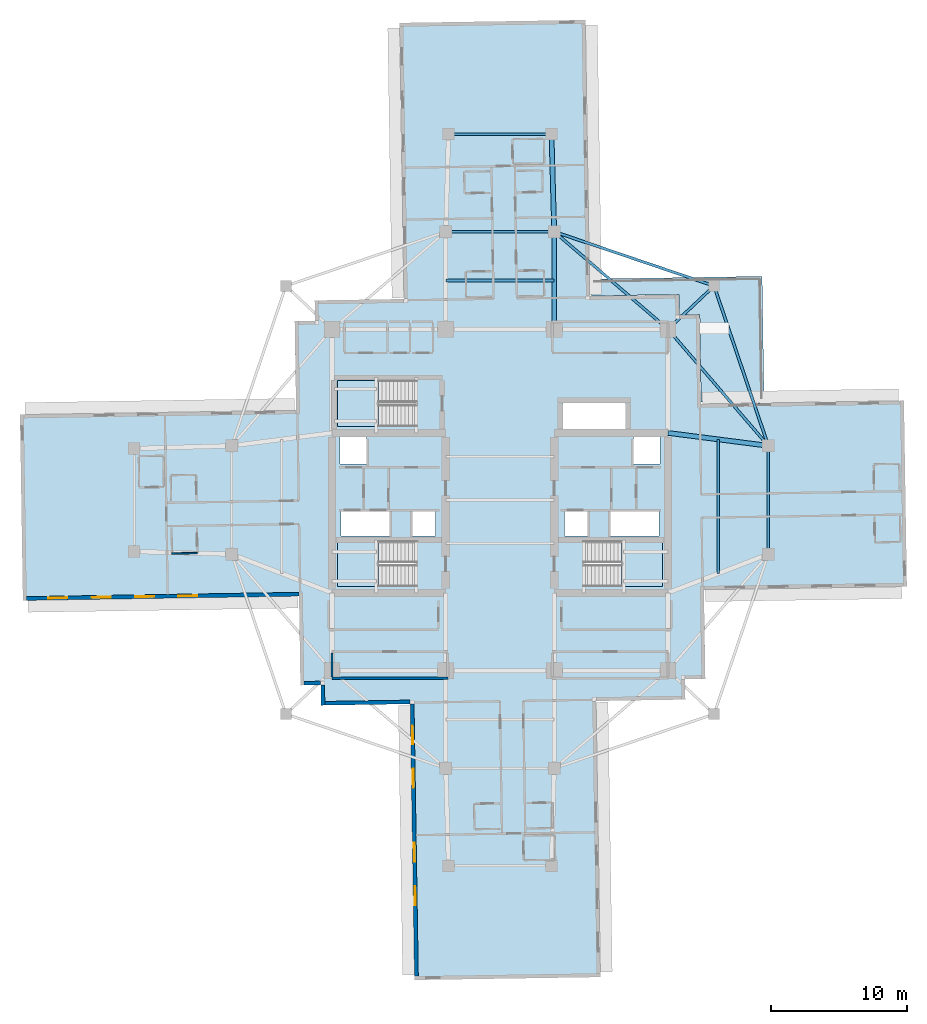
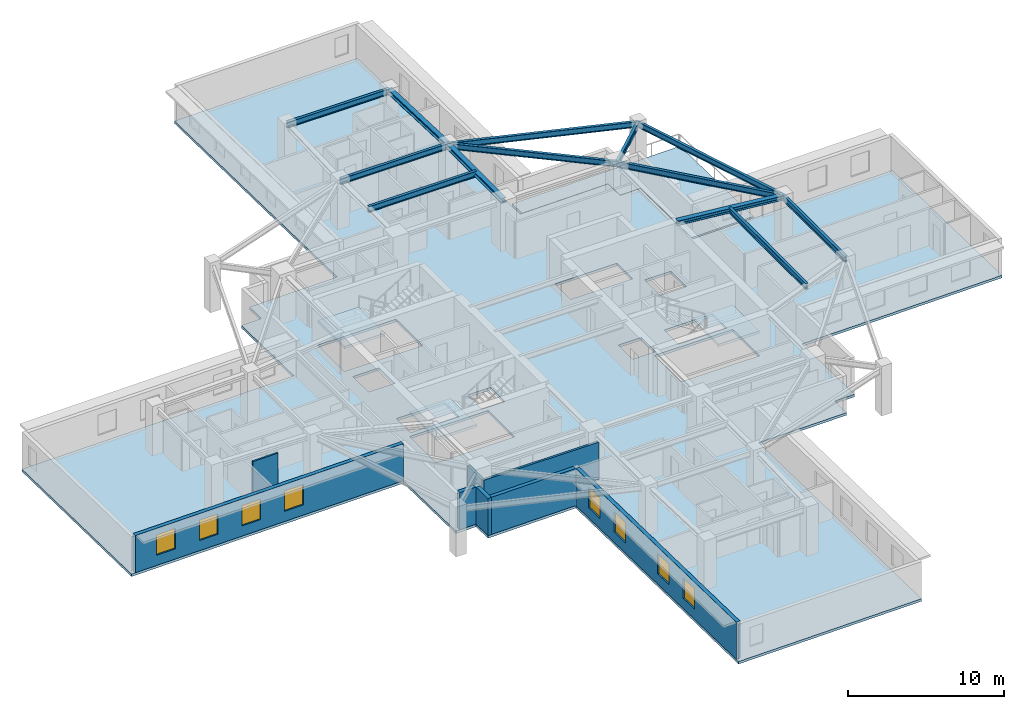
# One storey, part 2 of 13: 13 beams, 8 walls, 8 windows, 5 slabs, 8 openings, 3 elements without a shape of their own.
"""IFC4 building model written with IfcOpenShell, lengths in metres."""

from ifc_helpers import new_model, si_unit, direction, frame, frame_2d, origin, origin_2d, place, context, subcontext, project, spatial, polyline, rectangle, i_section, outline, extrude, material, layer, layer_set, material_profile, profile_set, type_object, element, fill, aggregate, save


model = new_model("IFC4")

# Units and contexts
model_context = context("Model", 3, precision=1e-05, world=origin(), true_north=direction((0.0, 1.0)))
body_context = subcontext(model_context, "Body", "Model", "MODEL_VIEW")
ifc_project = project(units=[si_unit("LENGTHUNIT", "METRE"), si_unit("AREAUNIT", "SQUARE_METRE"), si_unit("VOLUMEUNIT", "CUBIC_METRE"), si_unit("PLANEANGLEUNIT", "RADIAN"), si_unit("MASSUNIT", "GRAM", prefix="KILO")], contexts=[model_context])

# Site, building, storey
site_placement = place(None, origin())
site = spatial("IfcSite", under=ifc_project, at=site_placement, CompositionType="ELEMENT")
building_placement = place(site_placement, origin())
building = spatial("IfcBuilding", under=site, at=building_placement, Name="Qingluan Cross Belvedere", CompositionType="ELEMENT")
storey_placement = place(building_placement, frame((0.0, 0.0, 187.800048828125)))
storey = spatial("IfcBuildingStorey", under=building, at=storey_placement, Name="L47", CompositionType="ELEMENT", Elevation=187.800048828125)

# Beams
ifc_material_1 = material(Name="Steel Q420GJB", Category="steel")
ifc_material_profile_1 = material_profile(ifc_material_1, i_section(OverallWidth=0.199951171875, OverallDepth=0.449951171875, WebThickness=0.009033203125, FlangeThickness=0.013916015625, FilletRadius=0.01611328125, at=origin_2d()), Name="HN450x200x9x14")
ifc_profile_set_1 = profile_set([ifc_material_profile_1], Name="Steel Q420GJB")
beam_type_1 = type_object("IfcBeamType", Name="Steel_Beam_HN450x200x9x14", PredefinedType="JOIST", material=ifc_profile_set_1)
beam_1_placement = place(storey_placement, frame((12.39990234375, 12.60009765625, 3.425048828125), z_axis=(0.728219948308, 0.685343495546, 0.0), x_axis=(-0.685343495546, 0.728219948308, 0.0)))
element("IfcBeam", 1, at=beam_1_placement, inside=storey, type_object=beam_type_1, Name="Corner beam 1 L47-RNE", PredefinedType="JOIST", context=body_context, shape_type="SweptSolid", body=[
    extrude(i_section(OverallWidth=0.199951171875, OverallDepth=0.449951171875, WebThickness=0.009033203125, FlangeThickness=0.013916015625, FilletRadius=0.01611328125, at=origin_2d()), origin(), (0.0, 0.0, 1.0), 4.669189453125),
])
for number, where, z_axis, x_axis, name in (
    (2, (15.800048828125, 15.800048828125, 3.425048828125), (-0.947066283324, 0.321038089628, 0.0), (-0.321038089628, -0.947066283324, 0.0), "Corner beam 2 L47-RNE"),
    (3, (15.800048828125, 15.800048828125, 3.425048828125), (0.321038089628, -0.947066283324, 0.0), (0.947066283324, 0.321038089628, 0.0), "Corner beam 3 L47-RNE"),
):
    element("IfcBeam", number, at=place(storey_placement, frame(where, z_axis=z_axis, x_axis=x_axis)), inside=storey, type_object=beam_type_1, Name=name, PredefinedType="JOIST", context=body_context, shape_type="SweptSolid", body=[
        extrude(i_section(OverallWidth=0.199951171875, OverallDepth=0.449951171875, WebThickness=0.009033203125, FlangeThickness=0.013916015625, FilletRadius=0.01611328125, at=origin_2d()), origin(), (0.0, 0.0, 1.0), 12.45947265625),
    ])
beam_2_placement = place(storey_placement, frame((12.39990234375, 12.60009765625, 3.425048828125), z_axis=(0.652245077546, -0.75800815221, 0.0), x_axis=(0.75800815221, 0.652245077546, 0.0)))
element("IfcBeam", 4, at=beam_2_placement, inside=storey, type_object=beam_type_1, Name="Corner beam 4 L47-RNE", PredefinedType="JOIST", context=body_context, shape_type="SweptSolid", body=[
    extrude(i_section(OverallWidth=0.199951171875, OverallDepth=0.449951171875, WebThickness=0.009033203125, FlangeThickness=0.013916015625, FilletRadius=0.01611328125, at=origin_2d()), origin(), (0.0, 0.0, 1.0), 11.345703125),
])
beam_3_placement = place(storey_placement, frame((12.39990234375, 12.60009765625, 3.425048828125), z_axis=(-0.759255044656, 0.650793190779, 0.0), x_axis=(-0.650793190779, -0.759255044656, 0.0)))
element("IfcBeam", 5, at=beam_3_placement, inside=storey, type_object=beam_type_1, Name="Corner beam 5 L47-RNE", PredefinedType="JOIST", context=body_context, shape_type="SweptSolid", body=[
    extrude(i_section(OverallWidth=0.199951171875, OverallDepth=0.449951171875, WebThickness=0.009033203125, FlangeThickness=0.013916015625, FilletRadius=0.01611328125, at=origin_2d()), origin(), (0.0, 0.0, 1.0), 11.063232421875),
])
beam_4_placement = place(storey_placement, frame((19.800048828125, -4.0, 3.425048828125), z_axis=(0.0, 1.0, 0.0), x_axis=(-1.0, 0.0, 0.0)))
element("IfcBeam", 6, at=beam_4_placement, inside=storey, type_object=beam_type_1, Name="Arm E tie L47", PredefinedType="JOIST", context=body_context, shape_type="SweptSolid", body=[
    extrude(i_section(OverallWidth=0.199951171875, OverallDepth=0.449951171875, WebThickness=0.009033203125, FlangeThickness=0.013916015625, FilletRadius=0.01611328125, at=origin_2d()), origin(), (0.0, 0.0, 1.0), 8.0),
])
beam_5_placement = place(storey_placement, frame((16.10009765625, -5.425048828125, 3.425048828125), z_axis=(0.0, 1.0, 0.0), x_axis=(-1.0, 0.0, 0.0)))
element("IfcBeam", 7, at=beam_5_placement, inside=storey, type_object=beam_type_1, Name="Arm E beam L47", PredefinedType="JOIST", context=body_context, shape_type="SweptSolid", body=[
    extrude(i_section(OverallWidth=0.199951171875, OverallDepth=0.449951171875, WebThickness=0.009033203125, FlangeThickness=0.013916015625, FilletRadius=0.01611328125, at=origin_2d()), origin(), (0.0, 0.0, 1.0), 9.900146484375),
])
for number, where, z_axis, x_axis, name in (
    (8, (-4.0, 19.800048828125, 3.425048828125), (1.0, 0.0, 0.0), (0.0, 1.0, 0.0), "Arm N tie L47"),
    (9, (-4.0, 16.199951171875, 3.425048828125), (1.0, 0.0, 0.0), (0.0, 1.0, 0.0), "Arm N beam L47"),
):
    element("IfcBeam", number, at=place(storey_placement, frame(where, z_axis=z_axis, x_axis=x_axis)), inside=storey, type_object=beam_type_1, Name=name, PredefinedType="JOIST", context=body_context, shape_type="SweptSolid", body=[
        extrude(i_section(OverallWidth=0.199951171875, OverallDepth=0.449951171875, WebThickness=0.009033203125, FlangeThickness=0.013916015625, FilletRadius=0.01611328125, at=origin_2d()), origin(), (0.0, 0.0, 1.0), 8.0),
    ])
beam_6_placement = place(storey_placement, frame((-3.800048828125, 27.0, 3.425048828125), z_axis=(1.0, 0.0, 0.0), x_axis=(0.0, 1.0, 0.0)))
element("IfcBeam", 10, at=beam_6_placement, inside=storey, type_object=beam_type_1, Name="Arm N tip transverse beam L47", PredefinedType="JOIST", context=body_context, shape_type="SweptSolid", body=[
    extrude(i_section(OverallWidth=0.199951171875, OverallDepth=0.449951171875, WebThickness=0.009033203125, FlangeThickness=0.013916015625, FilletRadius=0.01611328125, at=origin_2d()), origin(), (0.0, 0.0, 1.0), 7.60009765625),
])
ifc_material_2 = material(Name="Steel Q420GJB", Category="steel")
ifc_material_profile_2 = material_profile(ifc_material_2, i_section(OverallWidth=0.35009765625, OverallDepth=0.35009765625, WebThickness=0.011962890625, FlangeThickness=0.01904296875, FilletRadius=0.02001953125, at=origin_2d()), Name="HW350x350x12x19")
ifc_profile_set_2 = profile_set([ifc_material_profile_2], Name="Steel Q420GJB")
beam_type_2 = type_object("IfcBeamType", Name="Steel_Girder_HW350x350x12x19", PredefinedType="USERDEFINED", material=ifc_profile_set_2)
beam_7_placement = place(storey_placement, frame((12.39990234375, 4.949951171875, 3.474853515625), z_axis=(0.991861120628, -0.12732445714, 0.0), x_axis=(0.12732445714, 0.991861120628, 0.0)))
element("IfcBeam", 11, at=beam_7_placement, inside=storey, type_object=beam_type_2, Name="Arm E radial girder B L47", ObjectType="GIRDER", PredefinedType="USERDEFINED", context=body_context, shape_type="SweptSolid", body=[
    extrude(i_section(OverallWidth=0.35009765625, OverallDepth=0.35009765625, WebThickness=0.011962890625, FlangeThickness=0.01904296875, FilletRadius=0.02001953125, at=origin_2d()), origin(), (0.0, 0.0, 1.0), 7.4609375),
])
beam_8_placement = place(storey_placement, frame((4.0, 12.60009765625, 3.474853515625), z_axis=(0.0, 1.0, 0.0), x_axis=(-1.0, 0.0, 0.0)))
element("IfcBeam", 12, at=beam_8_placement, inside=storey, type_object=beam_type_2, Name="Arm N radial girder B L47", ObjectType="GIRDER", PredefinedType="USERDEFINED", context=body_context, shape_type="SweptSolid", body=[
    extrude(i_section(OverallWidth=0.35009765625, OverallDepth=0.35009765625, WebThickness=0.011962890625, FlangeThickness=0.01904296875, FilletRadius=0.02001953125, at=origin_2d()), origin(), (0.0, 0.0, 1.0), 7.199951171875),
])
beam_9_placement = place(storey_placement, frame((4.0, 19.800048828125, 3.474853515625), z_axis=(-0.027760481514, 0.999614603568, 0.0), x_axis=(-0.999614603568, -0.027760481514, 0.0)))
element("IfcBeam", 13, at=beam_9_placement, inside=storey, type_object=beam_type_2, Name="Arm N outer radial girder B L47", ObjectType="GIRDER", PredefinedType="USERDEFINED", context=body_context, shape_type="SweptSolid", body=[
    extrude(i_section(OverallWidth=0.35009765625, OverallDepth=0.35009765625, WebThickness=0.011962890625, FlangeThickness=0.01904296875, FilletRadius=0.02001953125, at=origin_2d()), origin(), (0.0, 0.0, 1.0), 7.20263671875),
])

# Slab
ifc_material_3 = material(Name="Concrete C40", Category="concrete")
ifc_layer_1 = layer(ifc_material_3, 0.199951171875, Name="FloorSlab_200")
ifc_layer_set_1 = layer_set([ifc_layer_1], Name="Concrete C40")
slab_type_1 = type_object("IfcSlabType", Name="FloorSlab_200", PredefinedType="FLOOR", material=ifc_layer_set_1)
slab_1_placement = place(storey_placement, frame((0.0, 0.0, -0.199951171875)))
element("IfcSlab", 14, at=slab_1_placement, inside=storey, type_object=slab_type_1, Name="Structural floor slab L47", PredefinedType="FLOOR", context=body_context, shape_type="SweptSolid", body=[
    extrude(outline(polyline([(7.413818359375, -35.2080078125), (7.09375, -14.830322265625), (13.673095703125, -14.72705078125), (13.6494140625, -13.227294921875), (15.1494140625, -13.20361328125), (15.0458984375, -6.62451171875), (30.024169921875, -6.38916015625), (29.80859375, 7.3291015625), (14.830322265625, 7.09375), (14.72705078125, 13.673095703125), (13.227294921875, 13.6494140625), (13.20361328125, 15.1494140625), (6.62451171875, 15.0458984375), (6.304443359375, 35.42333984375), (-7.413818359375, 35.2080078125), (-7.09375, 14.830322265625), (-13.673095703125, 14.72705078125), (-13.6494140625, 13.227294921875), (-15.1494140625, 13.20361328125), (-15.0458984375, 6.62451171875), (-35.42333984375, 6.304443359375), (-35.2080078125, -7.413818359375), (-14.830322265625, -7.09375), (-14.72705078125, -13.673095703125), (-13.227294921875, -13.6494140625), (-13.20361328125, -15.1494140625), (-6.62451171875, -15.0458984375), (-6.304443359375, -35.42333984375), (7.413818359375, -35.2080078125)]), holes=[polyline([(-12.0, -3.0), (-6.179931640625, -3.0), (-6.179931640625, -6.39990234375), (-12.0, -6.39990234375), (-12.0, -3.0)]), polyline([(6.179931640625, -3.0), (12.0, -3.0), (12.0, -6.39990234375), (6.179931640625, -6.39990234375), (6.179931640625, -3.0)]), polyline([(-12.0, 8.820068359375), (-6.179931640625, 8.820068359375), (-6.179931640625, 5.419921875), (-12.0, 5.419921875), (-12.0, 8.820068359375)]), polyline([(-11.800048828125, 4.64990234375), (-9.85009765625, 4.64990234375), (-9.85009765625, 2.64990234375), (-11.800048828125, 2.64990234375), (-11.800048828125, 4.64990234375)]), polyline([(9.85009765625, 4.64990234375), (11.800048828125, 4.64990234375), (11.800048828125, 2.64990234375), (9.85009765625, 2.64990234375), (9.85009765625, 4.64990234375)]), polyline([(-11.75, -0.840087890625), (-8.14990234375, -0.840087890625), (-8.14990234375, -2.659912109375), (-11.75, -2.659912109375), (-11.75, -0.840087890625)]), polyline([(-6.449951171875, -0.840087890625), (-4.75, -0.840087890625), (-4.75, -2.659912109375), (-6.449951171875, -2.659912109375), (-6.449951171875, -0.840087890625)]), polyline([(4.75, -0.840087890625), (6.449951171875, -0.840087890625), (6.449951171875, -2.659912109375), (4.75, -2.659912109375), (4.75, -0.840087890625)]), polyline([(8.14990234375, -0.840087890625), (11.75, -0.840087890625), (11.75, -2.659912109375), (8.14990234375, -2.659912109375), (8.14990234375, -0.840087890625)]), polyline([(4.64990234375, 7.14990234375), (9.25, 7.14990234375), (9.25, 5.14990234375), (4.64990234375, 5.14990234375), (4.64990234375, 7.14990234375)])]), origin(), (0.0, 0.0, 1.0), 0.199951171875),
])

# Stair, slab
ifc_material_4 = material(Name="Concrete C40", Category="concrete")
stair_type = type_object("IfcStairType", Name="CoreDoglegStair_1620", PredefinedType="HALF_TURN_STAIR", material=ifc_material_4)
stair_1_placement = place(storey_placement, origin())
stair_1 = element("IfcStair", 15, at=stair_1_placement, inside=storey, type_object=stair_type, Name="L47 ST1", PredefinedType="HALF_TURN_STAIR")
ifc_material_5 = material(Name="Concrete C40", Category="concrete")
ifc_layer_2 = layer(ifc_material_5, 0.179931640625, Name="StairLandingSlab_180")
ifc_layer_set_2 = layer_set([ifc_layer_2], Name="Concrete C40")
slab_type_2 = type_object("IfcSlabType", Name="StairLandingSlab_180", PredefinedType="LANDING", material=ifc_layer_set_2)
slab_2_placement = place(storey_placement, frame((0.0, 0.0, 1.75)))
slab_2 = element("IfcSlab", 16, at=slab_2_placement, type_object=slab_type_2, Name="ST1 landing 1", PredefinedType="LANDING", context=body_context, shape_type="SweptSolid", body=[
    extrude(outline(polyline([(-8.97998046875, -3.0), (-12.0, -3.0), (-12.0, -6.39990234375), (-8.97998046875, -6.39990234375), (-8.97998046875, -3.0)])), origin(), (0.0, 0.0, 1.0), 0.199951171875),
])
aggregate(stair_1, [slab_2])

stair_2_placement = place(storey_placement, origin())
stair_2 = element("IfcStair", 17, at=stair_2_placement, inside=storey, type_object=stair_type, Name="L47 ST2", PredefinedType="HALF_TURN_STAIR")
slab_3_placement = place(storey_placement, frame((0.0, 0.0, 1.75)))
slab_3 = element("IfcSlab", 18, at=slab_3_placement, type_object=slab_type_2, Name="ST2 landing 1", PredefinedType="LANDING", context=body_context, shape_type="SweptSolid", body=[
    extrude(outline(polyline([(8.97998046875, -6.39990234375), (12.0, -6.39990234375), (12.0, -3.0), (8.97998046875, -3.0), (8.97998046875, -6.39990234375)])), origin(), (0.0, 0.0, 1.0), 0.199951171875),
])
aggregate(stair_2, [slab_3])

stair_3_placement = place(storey_placement, origin())
stair_3 = element("IfcStair", 19, at=stair_3_placement, inside=storey, type_object=stair_type, Name="L47 ST3", PredefinedType="HALF_TURN_STAIR")
slab_4_placement = place(storey_placement, frame((0.0, 0.0, 1.75)))
slab_4 = element("IfcSlab", 20, at=slab_4_placement, type_object=slab_type_2, Name="ST3 landing 1", PredefinedType="LANDING", context=body_context, shape_type="SweptSolid", body=[
    extrude(outline(polyline([(-8.97998046875, 8.820068359375), (-12.0, 8.820068359375), (-12.0, 5.419921875), (-8.97998046875, 5.419921875), (-8.97998046875, 8.820068359375)])), origin(), (0.0, 0.0, 1.0), 0.199951171875),
])
aggregate(stair_3, [slab_4])

# Slab
ifc_material_6 = material(Name="Concrete C40", Category="concrete")
ifc_layer_3 = layer(ifc_material_6, 0.219970703125, Name="TerraceSlab_220")
ifc_layer_set_3 = layer_set([ifc_layer_3], Name="Concrete C40")
slab_type_3 = type_object("IfcSlabType", Name="TerraceSlab_220", PredefinedType="FLOOR", material=ifc_layer_set_3)
slab_5_placement = place(storey_placement, frame((0.0, 0.0, -0.219970703125)))
element("IfcSlab", 21, at=slab_5_placement, inside=storey, type_object=slab_type_3, Name="Spiralling winter-garden terrace slab L47", PredefinedType="FLOOR", context=body_context, shape_type="SweptSolid", body=[
    extrude(outline(polyline([(6.764404296875, 15.05810546875), (13.208984375, 15.15771484375), (13.237060546875, 13.65966796875), (14.726806640625, 13.68310546875), (14.73681640625, 13.675048828125), (14.838134765625, 7.23388671875), (19.487548828125, 7.306884765625), (19.343017578125, 16.505859375), (6.74462890625, 16.30810546875), (6.764404296875, 15.05810546875)])), origin(), (0.0, 0.0, 1.0), 0.219970703125),
])

# Walls
ifc_material_7 = material(Name="Gypsum plasterboard on steel stud acoustic partition", Category="steel")
ifc_layer_4 = layer(ifc_material_7, 0.159912109375, Name="CorridorPartition_160")
ifc_layer_set_4 = layer_set([ifc_layer_4], Name="Gypsum plasterboard on steel stud acoustic partition")
wall_type_1 = type_object("IfcWallType", Name="CorridorPartition_160", PredefinedType="PARTITIONING", material=ifc_layer_set_4)
wall_1_placement = place(storey_placement, frame((-12.39990234375, -13.14990234375, 0.0), z_axis=(0.0, 0.0, 1.0), x_axis=(1.0, 0.0, 0.0)))
element("IfcWall", 22, at=wall_1_placement, inside=storey, type_object=wall_type_1, Name="Partition L47:q_sw:S", PredefinedType="PARTITIONING", context=body_context, shape_type="SweptSolid", body=[
    extrude(rectangle(XDim=8.5498046875, YDim=0.159912109375, at=frame_2d((4.27490234375, 0.0))), origin(), (0.0, 0.0, 1.0), 2.909912109375),
])
wall_2_placement = place(storey_placement, frame((-12.39990234375, -13.06494140625, 0.0), z_axis=(0.0, 0.0, 1.0), x_axis=(0.0, 1.0, 0.0)))
element("IfcWall", 23, at=wall_2_placement, inside=storey, type_object=wall_type_1, Name="Partition L47:q_sw:W", PredefinedType="PARTITIONING", context=body_context, shape_type="SweptSolid", body=[
    extrude(rectangle(XDim=1.780029296875, YDim=0.159912109375, at=frame_2d((0.89013671875, 0.0))), origin(), (0.0, 0.0, 1.0), 2.909912109375),
])
ifc_material_8 = material(Name="Moisture-resistant gypsum board lining")
ifc_layer_5 = layer(ifc_material_8, 0.1201171875, Name="EnsuiteWetPartition_120")
ifc_layer_set_5 = layer_set([ifc_layer_5], Name="Moisture-resistant gypsum board lining")
wall_type_2 = type_object("IfcWallType", Name="EnsuiteWetPartition_120", PredefinedType="PARTITIONING", material=ifc_layer_set_5)
wall_3_placement = place(storey_placement, frame((-22.331298828125, -3.916259765625, 0.0), z_axis=(0.0, 0.0, 1.0), x_axis=(-0.99987652141, -0.015714386166, 0.0)))
element("IfcWall", 24, at=wall_3_placement, inside=storey, type_object=wall_type_2, Name="Partition L47:W:bc1_0", PredefinedType="PARTITIONING", context=body_context, shape_type="SweptSolid", body=[
    extrude(rectangle(XDim=1.8798828125, YDim=0.1201171875, at=frame_2d((0.93994140625, 0.0))), origin(), (0.0, 0.0, 1.0), 2.909912109375),
])

# Wall, openings, windows
ifc_material_9 = material(Name="Precast concrete C45", Category="concrete")
ifc_layer_6 = layer(ifc_material_9, 0.280029296875, Name="PrecastFacadeWall_280")
ifc_layer_set_6 = layer_set([ifc_layer_6], Name="Precast concrete C45")
wall_type_3 = type_object("IfcWallType", Name="PrecastFacadeWall_280", PredefinedType="STANDARD", material=ifc_layer_set_6)
wall_4_placement = place(storey_placement, frame((-34.93017578125, -7.26953125, 0.0), z_axis=(0.0, 0.0, 1.0), x_axis=(0.999876667941, 0.015705059908, 0.0)))
wall_4 = element("IfcWall", 25, at=wall_4_placement, inside=storey, type_object=wall_type_3, Name="Facade wall L47-WB", PredefinedType="STANDARD", context=body_context, shape_type="SweptSolid", body=[
    extrude(rectangle(XDim=20.10009765625, YDim=0.280029296875, at=frame_2d((10.050048828125, 0.0))), origin(), (0.0, 0.0, 1.0), 2.919921875),
])
opening_1_placement = place(wall_4_placement, frame((1.60009765625, 0.0, 0.800048828125)))
opening_1 = element("IfcOpeningElement", 26, at=opening_1_placement, cuts=wall_4, Name="Opening W-01", PredefinedType="OPENING", context=body_context, shape_type="SweptSolid", body=[
    extrude(rectangle(XDim=1.39990234375, YDim=1.60009765625, at=frame_2d((0.699951171875, 0.800048828125))), frame((0.0, 0.14990234375, 0.0), z_axis=(0.0, -1.0, 0.0), x_axis=(1.0, 0.0, 0.0)), (0.0, 0.0, 1.0), 0.300048828125),
])
opening_2_placement = place(wall_4_placement, frame((4.800048828125, 0.0, 0.800048828125)))
opening_2 = element("IfcOpeningElement", 27, at=opening_2_placement, cuts=wall_4, Name="Opening W-01", PredefinedType="OPENING", context=body_context, shape_type="SweptSolid", body=[
    extrude(rectangle(XDim=1.39990234375, YDim=1.60009765625, at=frame_2d((0.699951171875, 0.800048828125))), frame((0.0, 0.14990234375, 0.0), z_axis=(0.0, -1.0, 0.0), x_axis=(1.0, 0.0, 0.0)), (0.0, 0.0, 1.0), 0.300048828125),
])
opening_3_placement = place(wall_4_placement, frame((8.0, 0.0, 0.800048828125)))
opening_3 = element("IfcOpeningElement", 28, at=opening_3_placement, cuts=wall_4, Name="Opening W-01", PredefinedType="OPENING", context=body_context, shape_type="SweptSolid", body=[
    extrude(rectangle(XDim=1.39990234375, YDim=1.60009765625, at=frame_2d((0.699951171875, 0.800048828125))), frame((0.0, 0.14990234375, 0.0), z_axis=(0.0, -1.0, 0.0), x_axis=(1.0, 0.0, 0.0)), (0.0, 0.0, 1.0), 0.300048828125),
])
opening_4_placement = place(wall_4_placement, frame((11.199951171875, 0.0, 0.800048828125)))
opening_4 = element("IfcOpeningElement", 29, at=opening_4_placement, cuts=wall_4, Name="Opening W-01", PredefinedType="OPENING", context=body_context, shape_type="SweptSolid", body=[
    extrude(rectangle(XDim=1.39990234375, YDim=1.60009765625, at=frame_2d((0.699951171875, 0.800048828125))), frame((0.0, 0.14990234375, 0.0), z_axis=(0.0, -1.0, 0.0), x_axis=(1.0, 0.0, 0.0)), (0.0, 0.0, 1.0), 0.300048828125),
])
ifc_material_10 = material(Name="Thermally broken triple Low-E glass in aluminium frame", Category="aluminium")
window_type = type_object("IfcWindowType", Name="TriRibbonWin_1400x1600", PartitioningType="SINGLE_PANEL", PredefinedType="WINDOW", material=ifc_material_10)
window_1_placement = place(opening_1_placement, origin())
window_1 = element("IfcWindow", 30, at=window_1_placement, inside=storey, type_object=window_type, Name="Ribbon window L47-WB-1", OverallHeight=1.60009765625, OverallWidth=1.39990234375, PartitioningType="SINGLE_PANEL", PredefinedType="WINDOW", context=body_context, shape_type="SweptSolid", body=[
    extrude(rectangle(XDim=1.39990234375, YDim=1.60009765625, at=frame_2d((0.699951171875, 0.800048828125))), frame((0.0, 0.030029296875, 0.0), z_axis=(0.0, -1.0, 0.0), x_axis=(1.0, 0.0, 0.0)), (0.0, 0.0, 1.0), 0.06005859375),
])
fill(opening_1, window_1)
window_2_placement = place(opening_2_placement, origin())
window_2 = element("IfcWindow", 31, at=window_2_placement, inside=storey, type_object=window_type, Name="Ribbon window L47-WB-2", OverallHeight=1.60009765625, OverallWidth=1.39990234375, PartitioningType="SINGLE_PANEL", PredefinedType="WINDOW", context=body_context, shape_type="SweptSolid", body=[
    extrude(rectangle(XDim=1.39990234375, YDim=1.60009765625, at=frame_2d((0.699951171875, 0.800048828125))), frame((0.0, 0.030029296875, 0.0), z_axis=(0.0, -1.0, 0.0), x_axis=(1.0, 0.0, 0.0)), (0.0, 0.0, 1.0), 0.06005859375),
])
fill(opening_2, window_2)
window_3_placement = place(opening_3_placement, origin())
window_3 = element("IfcWindow", 32, at=window_3_placement, inside=storey, type_object=window_type, Name="Ribbon window L47-WB-3", OverallHeight=1.60009765625, OverallWidth=1.39990234375, PartitioningType="SINGLE_PANEL", PredefinedType="WINDOW", context=body_context, shape_type="SweptSolid", body=[
    extrude(rectangle(XDim=1.39990234375, YDim=1.60009765625, at=frame_2d((0.699951171875, 0.800048828125))), frame((0.0, 0.030029296875, 0.0), z_axis=(0.0, -1.0, 0.0), x_axis=(1.0, 0.0, 0.0)), (0.0, 0.0, 1.0), 0.06005859375),
])
fill(opening_3, window_3)
window_4_placement = place(opening_4_placement, origin())
window_4 = element("IfcWindow", 33, at=window_4_placement, inside=storey, type_object=window_type, Name="Ribbon window L47-WB-4", OverallHeight=1.60009765625, OverallWidth=1.39990234375, PartitioningType="SINGLE_PANEL", PredefinedType="WINDOW", context=body_context, shape_type="SweptSolid", body=[
    extrude(rectangle(XDim=1.39990234375, YDim=1.60009765625, at=frame_2d((0.699951171875, 0.800048828125))), frame((0.0, 0.030029296875, 0.0), z_axis=(0.0, -1.0, 0.0), x_axis=(1.0, 0.0, 0.0)), (0.0, 0.0, 1.0), 0.06005859375),
])
fill(opening_4, window_4)

wall_5_placement = place(storey_placement, frame((-6.484619140625, -15.043701171875, 0.0), z_axis=(0.0, 0.0, 1.0), x_axis=(0.01571739401, -0.999876474133, 0.0)))
wall_5 = element("IfcWall", 34, at=wall_5_placement, inside=storey, type_object=wall_type_3, Name="Facade wall L47-SA", PredefinedType="STANDARD", context=body_context, shape_type="SweptSolid", body=[
    extrude(rectangle(XDim=20.099853515625, YDim=0.280029296875, at=frame_2d((10.0498046875, 0.0))), origin(), (0.0, 0.0, 1.0), 2.919921875),
])
opening_5_placement = place(wall_5_placement, frame((1.60009765625, 0.0, 0.800048828125)))
opening_5 = element("IfcOpeningElement", 35, at=opening_5_placement, cuts=wall_5, Name="Opening W-01", PredefinedType="OPENING", context=body_context, shape_type="SweptSolid", body=[
    extrude(rectangle(XDim=1.39990234375, YDim=1.60009765625, at=frame_2d((0.699951171875, 0.800048828125))), frame((0.0, 0.14990234375, 0.0), z_axis=(0.0, -1.0, 0.0), x_axis=(1.0, 0.0, 0.0)), (0.0, 0.0, 1.0), 0.300048828125),
])
opening_6_placement = place(wall_5_placement, frame((4.800048828125, 0.0, 0.800048828125)))
opening_6 = element("IfcOpeningElement", 36, at=opening_6_placement, cuts=wall_5, Name="Opening W-01", PredefinedType="OPENING", context=body_context, shape_type="SweptSolid", body=[
    extrude(rectangle(XDim=1.39990234375, YDim=1.60009765625, at=frame_2d((0.699951171875, 0.800048828125))), frame((0.0, 0.14990234375, 0.0), z_axis=(0.0, -1.0, 0.0), x_axis=(1.0, 0.0, 0.0)), (0.0, 0.0, 1.0), 0.300048828125),
])
opening_7_placement = place(wall_5_placement, frame((10.25, 0.0, 0.800048828125)))
opening_7 = element("IfcOpeningElement", 37, at=opening_7_placement, cuts=wall_5, Name="Opening W-01", PredefinedType="OPENING", context=body_context, shape_type="SweptSolid", body=[
    extrude(rectangle(XDim=1.39990234375, YDim=1.60009765625, at=frame_2d((0.699951171875, 0.800048828125))), frame((0.0, 0.14990234375, 0.0), z_axis=(0.0, -1.0, 0.0), x_axis=(1.0, 0.0, 0.0)), (0.0, 0.0, 1.0), 0.300048828125),
])
opening_8_placement = place(wall_5_placement, frame((13.449951171875, 0.0, 0.800048828125)))
opening_8 = element("IfcOpeningElement", 38, at=opening_8_placement, cuts=wall_5, Name="Opening W-01", PredefinedType="OPENING", context=body_context, shape_type="SweptSolid", body=[
    extrude(rectangle(XDim=1.39990234375, YDim=1.60009765625, at=frame_2d((0.699951171875, 0.800048828125))), frame((0.0, 0.14990234375, 0.0), z_axis=(0.0, -1.0, 0.0), x_axis=(1.0, 0.0, 0.0)), (0.0, 0.0, 1.0), 0.300048828125),
])
window_5_placement = place(opening_5_placement, origin())
window_5 = element("IfcWindow", 39, at=window_5_placement, inside=storey, type_object=window_type, Name="Ribbon window L47-SA-1", OverallHeight=1.60009765625, OverallWidth=1.39990234375, PartitioningType="SINGLE_PANEL", PredefinedType="WINDOW", context=body_context, shape_type="SweptSolid", body=[
    extrude(rectangle(XDim=1.39990234375, YDim=1.60009765625, at=frame_2d((0.699951171875, 0.800048828125))), frame((0.0, 0.030029296875, 0.0), z_axis=(0.0, -1.0, 0.0), x_axis=(1.0, 0.0, 0.0)), (0.0, 0.0, 1.0), 0.06005859375),
])
fill(opening_5, window_5)
window_6_placement = place(opening_6_placement, origin())
window_6 = element("IfcWindow", 40, at=window_6_placement, inside=storey, type_object=window_type, Name="Ribbon window L47-SA-2", OverallHeight=1.60009765625, OverallWidth=1.39990234375, PartitioningType="SINGLE_PANEL", PredefinedType="WINDOW", context=body_context, shape_type="SweptSolid", body=[
    extrude(rectangle(XDim=1.39990234375, YDim=1.60009765625, at=frame_2d((0.699951171875, 0.800048828125))), frame((0.0, 0.030029296875, 0.0), z_axis=(0.0, -1.0, 0.0), x_axis=(1.0, 0.0, 0.0)), (0.0, 0.0, 1.0), 0.06005859375),
])
fill(opening_6, window_6)
window_7_placement = place(opening_7_placement, origin())
window_7 = element("IfcWindow", 41, at=window_7_placement, inside=storey, type_object=window_type, Name="Ribbon window L47-SA-3", OverallHeight=1.60009765625, OverallWidth=1.39990234375, PartitioningType="SINGLE_PANEL", PredefinedType="WINDOW", context=body_context, shape_type="SweptSolid", body=[
    extrude(rectangle(XDim=1.39990234375, YDim=1.60009765625, at=frame_2d((0.699951171875, 0.800048828125))), frame((0.0, 0.030029296875, 0.0), z_axis=(0.0, -1.0, 0.0), x_axis=(1.0, 0.0, 0.0)), (0.0, 0.0, 1.0), 0.06005859375),
])
fill(opening_7, window_7)
window_8_placement = place(opening_8_placement, origin())
window_8 = element("IfcWindow", 42, at=window_8_placement, inside=storey, type_object=window_type, Name="Ribbon window L47-SA-4", OverallHeight=1.60009765625, OverallWidth=1.39990234375, PartitioningType="SINGLE_PANEL", PredefinedType="WINDOW", context=body_context, shape_type="SweptSolid", body=[
    extrude(rectangle(XDim=1.39990234375, YDim=1.60009765625, at=frame_2d((0.699951171875, 0.800048828125))), frame((0.0, 0.030029296875, 0.0), z_axis=(0.0, -1.0, 0.0), x_axis=(1.0, 0.0, 0.0)), (0.0, 0.0, 1.0), 0.06005859375),
])
fill(opening_8, window_8)

# Walls
wall_6_placement = place(storey_placement, frame((-14.44921875, -13.528564453125, 0.0), z_axis=(0.0, 0.0, 1.0), x_axis=(0.999878147354, 0.015610587569, 0.0)))
element("IfcWall", 43, at=wall_6_placement, inside=storey, type_object=wall_type_3, Name="Corner wall L47-SW2", PredefinedType="STANDARD", context=body_context, shape_type="SweptSolid", body=[
    extrude(rectangle(XDim=1.219970703125, YDim=0.280029296875, at=frame_2d((0.60986328125, 0.0))), origin(), (0.0, 0.0, 1.0), 2.919921875),
])
wall_7_placement = place(storey_placement, frame((-13.08740234375, -13.647216796875, 0.0), z_axis=(0.0, 0.0, 1.0), x_axis=(0.015785793208, -0.999875396603, 0.0)))
element("IfcWall", 44, at=wall_7_placement, inside=storey, type_object=wall_type_3, Name="Corner wall L47-SW3", PredefinedType="STANDARD", context=body_context, shape_type="SweptSolid", body=[
    extrude(rectangle(XDim=1.500244140625, YDim=0.280029296875, at=frame_2d((0.75, 0.0))), origin(), (0.0, 0.0, 1.0), 2.919921875),
])
wall_8_placement = place(storey_placement, frame((-12.92578125, -15.0048828125, 0.0), z_axis=(0.0, 0.0, 1.0), x_axis=(0.999876823822, 0.015695132501, 0.0)))
element("IfcWall", 45, at=wall_8_placement, inside=storey, type_object=wall_type_3, Name="Corner wall L47-SW4", PredefinedType="STANDARD", context=body_context, shape_type="SweptSolid", body=[
    extrude(rectangle(XDim=6.2998046875, YDim=0.280029296875, at=frame_2d((3.14990234375, 0.0))), origin(), (0.0, 0.0, 1.0), 2.919921875),
])

save(model, "model.ifc")
